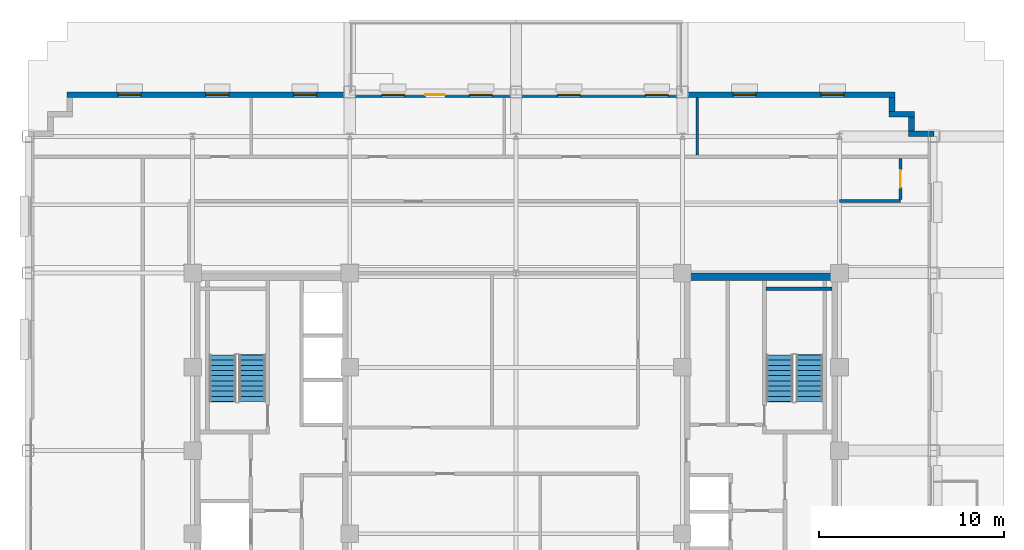
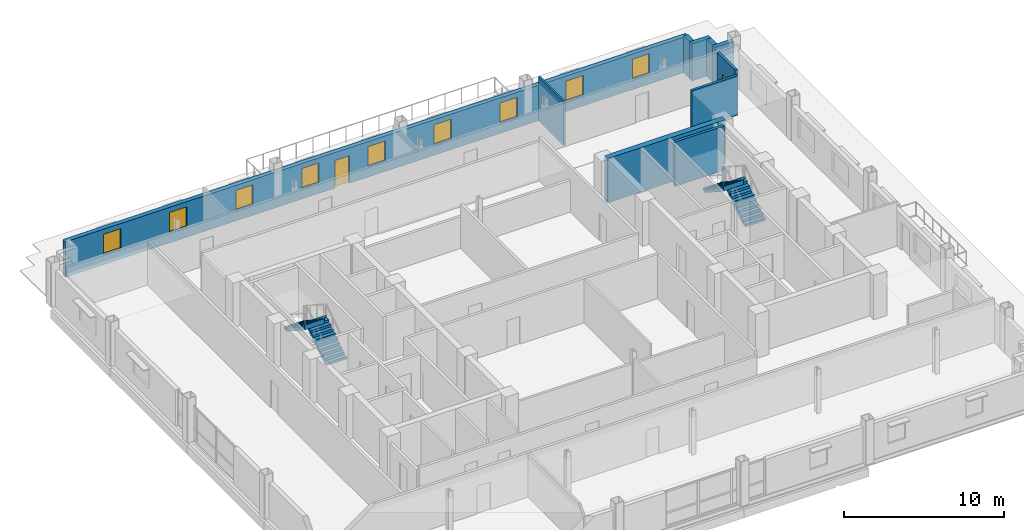
# One storey, part 10 of 17: 10 walls, 9 windows, 4 stair flights, 2 doors, 11 openings, 2 elements without a shape of their own.
"""IFC4 building model written with IfcOpenShell, lengths in metres."""

from ifc_helpers import new_model, si_unit, direction, frame, frame_2d, origin, place, context, subcontext, project, spatial, polyline, rectangle, outline, extrude, source, transform, mapped, material, layer, layer_set, type_object, type_shapes, element, fill, aggregate, save


model = new_model("IFC4")

# Units and contexts
model_context = context("Model", 3, precision=1e-05, world=origin(), true_north=direction((0.0, 1.0)))
body_context = subcontext(model_context, "Body", "Model", "MODEL_VIEW")
ifc_project = project(units=[si_unit("LENGTHUNIT", "METRE"), si_unit("AREAUNIT", "SQUARE_METRE"), si_unit("VOLUMEUNIT", "CUBIC_METRE"), si_unit("PLANEANGLEUNIT", "RADIAN"), si_unit("MASSUNIT", "GRAM", prefix="KILO")], contexts=[model_context])

# Site, building, storey
site_placement = place(None, origin())
site = spatial("IfcSite", under=ifc_project, at=site_placement, CompositionType="ELEMENT")
building_placement = place(site_placement, origin())
building = spatial("IfcBuilding", under=site, at=building_placement, Name="Nuvemarco Arch Tower", CompositionType="ELEMENT")
storey_placement = place(building_placement, frame((0.0, 0.0, 167.64990234375)))
storey = spatial("IfcBuildingStorey", under=building, at=storey_placement, Name="L44", CompositionType="ELEMENT", Elevation=167.64990234375)

# Walls
ifc_material_1 = material(Name="Precast concrete C45/55", Category="concrete")
ifc_layer_1 = layer(ifc_material_1, 0.31005859375, Name="EW-UPP-310")
ifc_layer_set_1 = layer_set([ifc_layer_1], Name="Precast concrete C45/55")
wall_type_1 = type_object("IfcWallType", Name="EW-UPP-310", PredefinedType="STANDARD", material=ifc_layer_set_1)
wall_1_placement = place(storey_placement, frame((21.239990234375, 17.14501953125, 0.0), z_axis=(0.0, 0.0, 1.0), x_axis=(1.0, 0.0, 0.0)))
element("IfcWall", 1, at=wall_1_placement, inside=storey, type_object=wall_type_1, Name="L44 exterior precast facade wall 7", PredefinedType="STANDARD", context=body_context, shape_type="SweptSolid", body=[
    extrude(rectangle(XDim=1.360107421875, YDim=0.31005859375, at=frame_2d((0.68017578125, 0.0))), origin(), (0.0, 0.0, 1.0), 2.816162109375),
])
wall_2_placement = place(storey_placement, frame((21.39501953125, 17.2958984375, 0.0), z_axis=(0.0, 0.0, 1.0), x_axis=(0.0, 1.0, 0.0)))
element("IfcWall", 2, at=wall_2_placement, inside=storey, type_object=wall_type_1, Name="L44 exterior precast facade wall 8", PredefinedType="STANDARD", context=body_context, shape_type="SweptSolid", body=[
    extrude(rectangle(XDim=0.748046875, YDim=0.31005859375, at=frame_2d((0.3740234375, 0.0))), origin(), (0.0, 0.0, 1.0), 2.816162109375),
])
wall_3_placement = place(storey_placement, frame((20.18994140625, 18.195068359375, 0.0), z_axis=(0.0, 0.0, 1.0), x_axis=(1.0, 0.0, 0.0)))
element("IfcWall", 3, at=wall_3_placement, inside=storey, type_object=wall_type_1, Name="L44 exterior precast facade wall 9", PredefinedType="STANDARD", context=body_context, shape_type="SweptSolid", body=[
    extrude(rectangle(XDim=1.360107421875, YDim=0.31005859375, at=frame_2d((0.68017578125, 0.0))), origin(), (0.0, 0.0, 1.0), 2.816162109375),
])
wall_4_placement = place(storey_placement, frame((20.344970703125, 18.345947265625, 0.0), z_axis=(0.0, 0.0, 1.0), x_axis=(0.0, 1.0, 0.0)))
element("IfcWall", 4, at=wall_4_placement, inside=storey, type_object=wall_type_1, Name="L44 exterior precast facade wall 10", PredefinedType="STANDARD", context=body_context, shape_type="SweptSolid", body=[
    extrude(rectangle(XDim=0.748046875, YDim=0.31005859375, at=frame_2d((0.3740234375, 0.0))), origin(), (0.0, 0.0, 1.0), 2.816162109375),
])

# Wall, openings, door, windows
wall_5_placement = place(storey_placement, frame((-24.300048828125, 19.2451171875, 0.0), z_axis=(0.0, 0.0, 1.0), x_axis=(1.0, 0.0, 0.0)))
wall_5 = element("IfcWall", 5, at=wall_5_placement, inside=storey, type_object=wall_type_1, Name="L44 exterior precast facade wall 11", PredefinedType="STANDARD", context=body_context, shape_type="SweptSolid", body=[
    extrude(rectangle(XDim=44.800048828125, YDim=0.31005859375, at=frame_2d((22.39990234375, 0.0))), origin(), (0.0, 0.0, 1.0), 2.705078125),
])
opening_1_placement = place(wall_5_placement, frame((19.39990234375, 0.0, 0.0)))
opening_1 = element("IfcOpeningElement", 6, at=opening_1_placement, cuts=wall_5, Name="Opening ED-5", PredefinedType="OPENING", context=body_context, shape_type="SweptSolid", body=[
    extrude(rectangle(XDim=1.050048828125, YDim=2.10009765625, at=frame_2d((0.52490234375, 1.050048828125))), frame((0.0, 0.1650390625, 0.0), z_axis=(0.0, -1.0, 0.0), x_axis=(1.0, 0.0, 0.0)), (0.0, 0.0, 1.0), 0.330078125),
])
opening_2_placement = place(wall_5_placement, frame((2.752685546875, 0.0, 0.800048828125)))
opening_2 = element("IfcOpeningElement", 7, at=opening_2_placement, cuts=wall_5, Name="Opening WN-13", PredefinedType="OPENING", context=body_context, shape_type="SweptSolid", body=[
    extrude(rectangle(XDim=1.25, YDim=1.52001953125, at=frame_2d((0.625, 0.760009765625))), frame((0.0, 0.1650390625, 0.0), z_axis=(0.0, -1.0, 0.0), x_axis=(1.0, 0.0, 0.0)), (0.0, 0.0, 1.0), 0.330078125),
])
opening_3_placement = place(wall_5_placement, frame((7.50830078125, 0.0, 0.800048828125)))
opening_3 = element("IfcOpeningElement", 8, at=opening_3_placement, cuts=wall_5, Name="Opening WN-13", PredefinedType="OPENING", context=body_context, shape_type="SweptSolid", body=[
    extrude(rectangle(XDim=1.25, YDim=1.52001953125, at=frame_2d((0.625, 0.760009765625))), frame((0.0, 0.1650390625, 0.0), z_axis=(0.0, -1.0, 0.0), x_axis=(1.0, 0.0, 0.0)), (0.0, 0.0, 1.0), 0.330078125),
])
opening_4_placement = place(wall_5_placement, frame((12.263916015625, 0.0, 0.800048828125)))
opening_4 = element("IfcOpeningElement", 9, at=opening_4_placement, cuts=wall_5, Name="Opening WN-13", PredefinedType="OPENING", context=body_context, shape_type="SweptSolid", body=[
    extrude(rectangle(XDim=1.25, YDim=1.52001953125, at=frame_2d((0.625, 0.760009765625))), frame((0.0, 0.1650390625, 0.0), z_axis=(0.0, -1.0, 0.0), x_axis=(1.0, 0.0, 0.0)), (0.0, 0.0, 1.0), 0.330078125),
])
opening_5_placement = place(wall_5_placement, frame((17.019287109375, 0.0, 0.800048828125)))
opening_5 = element("IfcOpeningElement", 10, at=opening_5_placement, cuts=wall_5, Name="Opening WN-13", PredefinedType="OPENING", context=body_context, shape_type="SweptSolid", body=[
    extrude(rectangle(XDim=1.25, YDim=1.52001953125, at=frame_2d((0.625, 0.760009765625))), frame((0.0, 0.1650390625, 0.0), z_axis=(0.0, -1.0, 0.0), x_axis=(1.0, 0.0, 0.0)), (0.0, 0.0, 1.0), 0.330078125),
])
opening_6_placement = place(wall_5_placement, frame((21.77490234375, 0.0, 0.800048828125)))
opening_6 = element("IfcOpeningElement", 11, at=opening_6_placement, cuts=wall_5, Name="Opening WN-13", PredefinedType="OPENING", context=body_context, shape_type="SweptSolid", body=[
    extrude(rectangle(XDim=1.25, YDim=1.52001953125, at=frame_2d((0.625, 0.760009765625))), frame((0.0, 0.1650390625, 0.0), z_axis=(0.0, -1.0, 0.0), x_axis=(1.0, 0.0, 0.0)), (0.0, 0.0, 1.0), 0.330078125),
])
opening_7_placement = place(wall_5_placement, frame((26.530517578125, 0.0, 0.800048828125)))
opening_7 = element("IfcOpeningElement", 12, at=opening_7_placement, cuts=wall_5, Name="Opening WN-13", PredefinedType="OPENING", context=body_context, shape_type="SweptSolid", body=[
    extrude(rectangle(XDim=1.25, YDim=1.52001953125, at=frame_2d((0.625, 0.760009765625))), frame((0.0, 0.1650390625, 0.0), z_axis=(0.0, -1.0, 0.0), x_axis=(1.0, 0.0, 0.0)), (0.0, 0.0, 1.0), 0.330078125),
])
opening_8_placement = place(wall_5_placement, frame((31.2861328125, 0.0, 0.800048828125)))
opening_8 = element("IfcOpeningElement", 13, at=opening_8_placement, cuts=wall_5, Name="Opening WN-13", PredefinedType="OPENING", context=body_context, shape_type="SweptSolid", body=[
    extrude(rectangle(XDim=1.25, YDim=1.52001953125, at=frame_2d((0.625, 0.760009765625))), frame((0.0, 0.1650390625, 0.0), z_axis=(0.0, -1.0, 0.0), x_axis=(1.0, 0.0, 0.0)), (0.0, 0.0, 1.0), 0.330078125),
])
opening_9_placement = place(wall_5_placement, frame((36.041748046875, 0.0, 0.800048828125)))
opening_9 = element("IfcOpeningElement", 14, at=opening_9_placement, cuts=wall_5, Name="Opening WN-13", PredefinedType="OPENING", context=body_context, shape_type="SweptSolid", body=[
    extrude(rectangle(XDim=1.25, YDim=1.52001953125, at=frame_2d((0.625, 0.760009765625))), frame((0.0, 0.1650390625, 0.0), z_axis=(0.0, -1.0, 0.0), x_axis=(1.0, 0.0, 0.0)), (0.0, 0.0, 1.0), 0.330078125),
])
opening_10_placement = place(wall_5_placement, frame((40.797119140625, 0.0, 0.800048828125)))
opening_10 = element("IfcOpeningElement", 15, at=opening_10_placement, cuts=wall_5, Name="Opening WN-13", PredefinedType="OPENING", context=body_context, shape_type="SweptSolid", body=[
    extrude(rectangle(XDim=1.25, YDim=1.52001953125, at=frame_2d((0.625, 0.760009765625))), frame((0.0, 0.1650390625, 0.0), z_axis=(0.0, -1.0, 0.0), x_axis=(1.0, 0.0, 0.0)), (0.0, 0.0, 1.0), 0.330078125),
])
ifc_material_2 = material(Name="Anodised bronze and laminated glass", Category="glass")
door_type_1 = type_object("IfcDoorType", Name="DR-EXT-TERR", OperationType="NOTDEFINED", PredefinedType="DOOR", material=ifc_material_2)
shared_shape_1 = source(origin(), body_context, "Body", "SweptSolid", [
    extrude(rectangle(XDim=1.050048828125, YDim=2.10009765625, at=frame_2d((0.52490234375, 1.050048828125))), frame((0.0, 0.02490234375, 0.0), z_axis=(0.0, -1.0, 0.0), x_axis=(1.0, 0.0, 0.0)), (0.0, 0.0, 1.0), 0.050048828125),
])
type_shapes(door_type_1, [shared_shape_1])
door_1_placement = place(opening_1_placement, origin())
door_1 = element("IfcDoor", 16, at=door_1_placement, inside=storey, type_object=door_type_1, Name="L44 setback terrace access door", OperationType="SINGLE_SWING_RIGHT", OverallHeight=2.10009765625, OverallWidth=1.050048828125, PredefinedType="DOOR", context=body_context, shape_type="MappedRepresentation", body=[
    mapped(shared_shape_1, transform((0.0, 0.0, 0.0), scale=1.0)),
])
fill(opening_1, door_1)
ifc_material_3 = material(Name="Insulated solar-control glass", Category="glass")
window_type = type_object("IfcWindowType", Name="WN-SET-1250x1520", PartitioningType="SINGLE_PANEL", PredefinedType="WINDOW", material=ifc_material_3)
shared_shape_2 = source(origin(), body_context, "Body", "SweptSolid", [
    extrude(rectangle(XDim=1.25, YDim=1.52001953125, at=frame_2d((0.625, 0.760009765625))), frame((0.0, 0.030029296875, 0.0), z_axis=(0.0, -1.0, 0.0), x_axis=(1.0, 0.0, 0.0)), (0.0, 0.0, 1.0), 0.06005859375),
])
type_shapes(window_type, [shared_shape_2])
window_1_placement = place(opening_2_placement, origin())
window_1 = element("IfcWindow", 17, at=window_1_placement, inside=storey, type_object=window_type, Name="L44 punched facade window 1", OverallHeight=1.52001953125, OverallWidth=1.25, PartitioningType="SINGLE_PANEL", PredefinedType="WINDOW", context=body_context, shape_type="MappedRepresentation", body=[
    mapped(shared_shape_2, transform((0.0, 0.0, 0.0), scale=1.0)),
])
fill(opening_2, window_1)
window_2_placement = place(opening_3_placement, origin())
window_2 = element("IfcWindow", 18, at=window_2_placement, inside=storey, type_object=window_type, Name="L44 punched facade window 2", OverallHeight=1.52001953125, OverallWidth=1.25, PartitioningType="SINGLE_PANEL", PredefinedType="WINDOW", context=body_context, shape_type="MappedRepresentation", body=[
    mapped(shared_shape_2, transform((0.0, 0.0, 0.0), scale=1.0)),
])
fill(opening_3, window_2)
window_3_placement = place(opening_4_placement, origin())
window_3 = element("IfcWindow", 19, at=window_3_placement, inside=storey, type_object=window_type, Name="L44 punched facade window 3", OverallHeight=1.52001953125, OverallWidth=1.25, PartitioningType="SINGLE_PANEL", PredefinedType="WINDOW", context=body_context, shape_type="MappedRepresentation", body=[
    mapped(shared_shape_2, transform((0.0, 0.0, 0.0), scale=1.0)),
])
fill(opening_4, window_3)
window_4_placement = place(opening_5_placement, origin())
window_4 = element("IfcWindow", 20, at=window_4_placement, inside=storey, type_object=window_type, Name="L44 punched facade window 4", OverallHeight=1.52001953125, OverallWidth=1.25, PartitioningType="SINGLE_PANEL", PredefinedType="WINDOW", context=body_context, shape_type="MappedRepresentation", body=[
    mapped(shared_shape_2, transform((0.0, 0.0, 0.0), scale=1.0)),
])
fill(opening_5, window_4)
window_5_placement = place(opening_6_placement, origin())
window_5 = element("IfcWindow", 21, at=window_5_placement, inside=storey, type_object=window_type, Name="L44 punched facade window 5", OverallHeight=1.52001953125, OverallWidth=1.25, PartitioningType="SINGLE_PANEL", PredefinedType="WINDOW", context=body_context, shape_type="MappedRepresentation", body=[
    mapped(shared_shape_2, transform((0.0, 0.0, 0.0), scale=1.0)),
])
fill(opening_6, window_5)
window_6_placement = place(opening_7_placement, origin())
window_6 = element("IfcWindow", 22, at=window_6_placement, inside=storey, type_object=window_type, Name="L44 punched facade window 6", OverallHeight=1.52001953125, OverallWidth=1.25, PartitioningType="SINGLE_PANEL", PredefinedType="WINDOW", context=body_context, shape_type="MappedRepresentation", body=[
    mapped(shared_shape_2, transform((0.0, 0.0, 0.0), scale=1.0)),
])
fill(opening_7, window_6)
window_7_placement = place(opening_8_placement, origin())
window_7 = element("IfcWindow", 23, at=window_7_placement, inside=storey, type_object=window_type, Name="L44 punched facade window 7", OverallHeight=1.52001953125, OverallWidth=1.25, PartitioningType="SINGLE_PANEL", PredefinedType="WINDOW", context=body_context, shape_type="MappedRepresentation", body=[
    mapped(shared_shape_2, transform((0.0, 0.0, 0.0), scale=1.0)),
])
fill(opening_8, window_7)
window_8_placement = place(opening_9_placement, origin())
window_8 = element("IfcWindow", 24, at=window_8_placement, inside=storey, type_object=window_type, Name="L44 punched facade window 8", OverallHeight=1.52001953125, OverallWidth=1.25, PartitioningType="SINGLE_PANEL", PredefinedType="WINDOW", context=body_context, shape_type="MappedRepresentation", body=[
    mapped(shared_shape_2, transform((0.0, 0.0, 0.0), scale=1.0)),
])
fill(opening_9, window_8)
window_9_placement = place(opening_10_placement, origin())
window_9 = element("IfcWindow", 25, at=window_9_placement, inside=storey, type_object=window_type, Name="L44 punched facade window 9", OverallHeight=1.52001953125, OverallWidth=1.25, PartitioningType="SINGLE_PANEL", PredefinedType="WINDOW", context=body_context, shape_type="MappedRepresentation", body=[
    mapped(shared_shape_2, transform((0.0, 0.0, 0.0), scale=1.0)),
])
fill(opening_10, window_9)

# Walls
ifc_material_4 = material(Name="Concrete C60/75", Category="concrete")
ifc_layer_2 = layer(ifc_material_4, 0.39990234375, Name="WL-CORE-400")
ifc_layer_set_2 = layer_set([ifc_layer_2], Name="Concrete C60/75")
wall_type_2 = type_object("IfcWallType", Name="WL-CORE-400", PredefinedType="SHEAR", material=ifc_layer_set_2)
wall_6_placement = place(storey_placement, frame((9.0, 9.39990234375, 0.0), z_axis=(0.0, 0.0, 1.0), x_axis=(1.0, 0.0, 0.0)))
element("IfcWall", 26, at=wall_6_placement, inside=storey, type_object=wall_type_2, Name="L44 E-core shear wall N", PredefinedType="SHEAR", context=body_context, shape_type="SweptSolid", body=[
    extrude(rectangle(XDim=8.5, YDim=0.39990234375, at=frame_2d((4.25, 0.0))), origin(), (0.0, 0.0, 1.0), 3.3701171875),
])
ifc_material_5 = material(Name="Fire-rated gypsum drywall partition")
ifc_layer_3 = layer(ifc_material_5, 0.179931640625, Name="WL-CORR-180")
ifc_layer_set_3 = layer_set([ifc_layer_3], Name="Fire-rated gypsum drywall partition")
wall_type_3 = type_object("IfcWallType", Name="WL-CORR-180", PredefinedType="PARTITIONING", material=ifc_layer_set_3)
wall_7_placement = place(storey_placement, frame((17.5, 13.5, 0.0), z_axis=(0.0, 0.0, 1.0), x_axis=(1.0, 0.0, 0.0)))
element("IfcWall", 27, at=wall_7_placement, inside=storey, type_object=wall_type_3, Name="L44 interior wall IW-L44-012", PredefinedType="PARTITIONING", context=body_context, shape_type="SweptSolid", body=[
    extrude(rectangle(XDim=3.300048828125, YDim=0.179931640625, at=frame_2d((1.64990234375, 0.0))), origin(), (0.0, 0.0, 1.0), 3.008056640625),
])

# Wall, opening, door
wall_8_placement = place(storey_placement, frame((20.800048828125, 13.5859375, 0.0), z_axis=(0.0, 0.0, 1.0), x_axis=(0.0, 1.0, 0.0)))
wall_8 = element("IfcWall", 28, at=wall_8_placement, inside=storey, type_object=wall_type_3, Name="L44 interior wall IW-L44-030", PredefinedType="PARTITIONING", context=body_context, shape_type="SweptSolid", body=[
    extrude(rectangle(XDim=2.22802734375, YDim=0.179931640625, at=frame_2d((1.114013671875, 0.0))), origin(), (0.0, 0.0, 1.0), 3.360107421875),
])
opening_11_placement = place(wall_8_placement, frame((0.634033203125, 0.0, 0.0)))
opening_11 = element("IfcOpeningElement", 29, at=opening_11_placement, cuts=wall_8, Name="Opening FD-5", PredefinedType="OPENING", context=body_context, shape_type="SweptSolid", body=[
    extrude(rectangle(XDim=0.9599609375, YDim=2.10009765625, at=frame_2d((0.47998046875, 1.050048828125))), frame((0.0, 0.099853515625, 0.0), z_axis=(0.0, -1.0, 0.0), x_axis=(1.0, 0.0, 0.0)), (0.0, 0.0, 1.0), 0.199951171875),
])
ifc_material_6 = material(Name="Timber fire door", Category="wood")
door_type_2 = type_object("IfcDoorType", Name="DR-CORR-FD", OperationType="NOTDEFINED", PredefinedType="DOOR", material=ifc_material_6)
shared_shape_3 = source(origin(), body_context, "Body", "SweptSolid", [
    extrude(rectangle(XDim=0.9599609375, YDim=2.10009765625, at=frame_2d((0.47998046875, 1.050048828125))), frame((0.0, 0.02490234375, 0.0), z_axis=(0.0, -1.0, 0.0), x_axis=(1.0, 0.0, 0.0)), (0.0, 0.0, 1.0), 0.050048828125),
])
type_shapes(door_type_2, [shared_shape_3])
door_2_placement = place(opening_11_placement, origin())
door_2 = element("IfcDoor", 30, at=door_2_placement, inside=storey, type_object=door_type_2, Name="L44 door DR-L44-E_2", OperationType="SINGLE_SWING_LEFT", OverallHeight=2.10009765625, OverallWidth=0.9599609375, PredefinedType="DOOR", context=body_context, shape_type="MappedRepresentation", body=[
    mapped(shared_shape_3, transform((0.0, 0.0, 0.0), scale=1.0)),
])
fill(opening_11, door_2)

# Walls
ifc_material_7 = material(Name="Gypsum plasterboard partition")
ifc_layer_4 = layer(ifc_material_7, 0.139892578125, Name="WL-ROOM-140")
ifc_layer_set_4 = layer_set([ifc_layer_4], Name="Gypsum plasterboard partition")
wall_type_4 = type_object("IfcWallType", Name="WL-ROOM-140", PredefinedType="PARTITIONING", material=ifc_layer_set_4)
wall_9_placement = place(storey_placement, frame((9.81005859375, 15.986083984375, 0.0), z_axis=(0.0, 0.0, 1.0), x_axis=(0.0, 1.0, 0.0)))
element("IfcWall", 31, at=wall_9_placement, inside=storey, type_object=wall_type_4, Name="L44 interior wall IW-L44-028", PredefinedType="PARTITIONING", context=body_context, shape_type="SweptSolid", body=[
    extrude(rectangle(XDim=3.10400390625, YDim=0.139892578125, at=frame_2d((1.552001953125, 0.0))), origin(), (0.0, 0.0, 1.0), 3.360107421875),
])
ifc_material_8 = material(Name="Concrete C50/60", Category="concrete")
ifc_layer_5 = layer(ifc_material_8, 0.199951171875, Name="WL-SHAFT-220")
ifc_layer_set_5 = layer_set([ifc_layer_5], Name="Concrete C50/60")
wall_type_5 = type_object("IfcWallType", Name="WL-SHAFT-220", PredefinedType="SHEAR", material=ifc_layer_set_5)
wall_10_placement = place(storey_placement, frame((13.534912109375, 8.75, 0.0), z_axis=(0.0, 0.0, 1.0), x_axis=(1.0, 0.0, 0.0)))
element("IfcWall", 32, at=wall_10_placement, inside=storey, type_object=wall_type_5, Name="L44 structural shaft wall SW-L44-E-ST2N", PredefinedType="SHEAR", context=body_context, shape_type="SweptSolid", body=[
    extrude(rectangle(XDim=3.570068359375, YDim=0.199951171875, at=frame_2d((1.78515625, 0.0))), origin(), (0.0, 0.0, 1.0), 3.3701171875),
])

# Stair, stair flights
stair_type = type_object("IfcStairType", Name="ST-CORE-20R", PredefinedType="HALF_TURN_STAIR", material=ifc_material_1)
stair_1_placement = place(storey_placement, origin())
stair_1 = element("IfcStair", 33, at=stair_1_placement, inside=storey, type_object=stair_type, Name="L44 Protected Exit Stair ST-1", PredefinedType="HALF_TURN_STAIR")
stair_flight_type = type_object("IfcStairFlightType", Name="SF-CORE-20R", PredefinedType="STRAIGHT", material=ifc_material_1)
stair_flight_1_placement = place(storey_placement, frame((-14.264892578125, 2.64990234375, 0.0), z_axis=(0.0, 0.0, 1.0), x_axis=(0.0, 1.0, 0.0)))
stair_flight_1 = element("IfcStairFlight", 34, at=stair_flight_1_placement, type_object=stair_flight_type, Name="ST-20R flight 1", NumberOfRisers=10, NumberOfTreads=9, PredefinedType="STRAIGHT", RiserHeight=0.1825, TreadLength=0.28, context=body_context, shape_type="SweptSolid", body=[
    extrude(outline(polyline([(0.0, 0.0), (0.0, 0.1826171875), (0.280029296875, 0.1826171875), (0.280029296875, 0.364990234375), (0.56005859375, 0.364990234375), (0.56005859375, 0.547607421875), (0.840087890625, 0.547607421875), (0.840087890625, 0.72998046875), (1.1201171875, 0.72998046875), (1.1201171875, 0.91259765625), (1.39990234375, 0.91259765625), (1.39990234375, 1.094970703125), (1.679931640625, 1.094970703125), (1.679931640625, 1.277587890625), (1.9599609375, 1.277587890625), (1.9599609375, 1.4599609375), (2.239990234375, 1.4599609375), (2.239990234375, 1.642578125), (2.52001953125, 1.642578125), (2.52001953125, 1.824951171875), (2.5400390625, 1.824951171875), (2.5400390625, 1.45166015625), (0.312744140625, 0.0), (0.0, 0.0)])), frame((0.0, 0.72509765625, 0.0), z_axis=(0.0, -1.0, 0.0), x_axis=(1.0, 0.0, 0.0)), (0.0, 0.0, 1.0), 1.449951171875),
])
stair_flight_2_placement = place(storey_placement, frame((-15.875, 5.169921875, 1.8251953125), z_axis=(0.0, 0.0, 1.0), x_axis=(0.0, -1.0, 0.0)))
stair_flight_2 = element("IfcStairFlight", 35, at=stair_flight_2_placement, type_object=stair_flight_type, Name="ST-20R flight 2", NumberOfRisers=10, NumberOfTreads=9, PredefinedType="STRAIGHT", RiserHeight=0.1825, TreadLength=0.28, context=body_context, shape_type="SweptSolid", body=[
    extrude(outline(polyline([(0.0, 0.0), (0.0, 0.1826171875), (0.280029296875, 0.1826171875), (0.280029296875, 0.364990234375), (0.56005859375, 0.364990234375), (0.56005859375, 0.547607421875), (0.840087890625, 0.547607421875), (0.840087890625, 0.72998046875), (1.1201171875, 0.72998046875), (1.1201171875, 0.91259765625), (1.39990234375, 0.91259765625), (1.39990234375, 1.094970703125), (1.679931640625, 1.094970703125), (1.679931640625, 1.277587890625), (1.9599609375, 1.277587890625), (1.9599609375, 1.4599609375), (2.239990234375, 1.4599609375), (2.239990234375, 1.642578125), (2.52001953125, 1.642578125), (2.52001953125, 1.824951171875), (2.5400390625, 1.824951171875), (2.5400390625, 1.45166015625), (0.312744140625, 0.0), (0.0, 0.0)])), frame((0.0, 0.72509765625, 0.0), z_axis=(0.0, -1.0, 0.0), x_axis=(1.0, 0.0, 0.0)), (0.0, 0.0, 1.0), 1.449951171875),
])
aggregate(stair_1, [stair_flight_1, stair_flight_2])

stair_2_placement = place(storey_placement, origin())
stair_2 = element("IfcStair", 36, at=stair_2_placement, inside=storey, type_object=stair_type, Name="L44 Protected Exit Stair ST-2", PredefinedType="HALF_TURN_STAIR")
stair_flight_3_placement = place(storey_placement, frame((15.875, 2.64990234375, 0.0), z_axis=(0.0, 0.0, 1.0), x_axis=(0.0, 1.0, 0.0)))
stair_flight_3 = element("IfcStairFlight", 37, at=stair_flight_3_placement, type_object=stair_flight_type, Name="ST-20R flight 1", NumberOfRisers=10, NumberOfTreads=9, PredefinedType="STRAIGHT", RiserHeight=0.1825, TreadLength=0.28, context=body_context, shape_type="SweptSolid", body=[
    extrude(outline(polyline([(0.0, 0.0), (0.0, 0.1826171875), (0.280029296875, 0.1826171875), (0.280029296875, 0.364990234375), (0.56005859375, 0.364990234375), (0.56005859375, 0.547607421875), (0.840087890625, 0.547607421875), (0.840087890625, 0.72998046875), (1.1201171875, 0.72998046875), (1.1201171875, 0.91259765625), (1.39990234375, 0.91259765625), (1.39990234375, 1.094970703125), (1.679931640625, 1.094970703125), (1.679931640625, 1.277587890625), (1.9599609375, 1.277587890625), (1.9599609375, 1.4599609375), (2.239990234375, 1.4599609375), (2.239990234375, 1.642578125), (2.52001953125, 1.642578125), (2.52001953125, 1.824951171875), (2.5400390625, 1.824951171875), (2.5400390625, 1.45166015625), (0.312744140625, 0.0), (0.0, 0.0)])), frame((0.0, 0.72509765625, 0.0), z_axis=(0.0, -1.0, 0.0), x_axis=(1.0, 0.0, 0.0)), (0.0, 0.0, 1.0), 1.449951171875),
])
stair_flight_4_placement = place(storey_placement, frame((14.264892578125, 5.169921875, 1.8251953125), z_axis=(0.0, 0.0, 1.0), x_axis=(0.0, -1.0, 0.0)))
stair_flight_4 = element("IfcStairFlight", 38, at=stair_flight_4_placement, type_object=stair_flight_type, Name="ST-20R flight 2", NumberOfRisers=10, NumberOfTreads=9, PredefinedType="STRAIGHT", RiserHeight=0.1825, TreadLength=0.28, context=body_context, shape_type="SweptSolid", body=[
    extrude(outline(polyline([(0.0, 0.0), (0.0, 0.1826171875), (0.280029296875, 0.1826171875), (0.280029296875, 0.364990234375), (0.56005859375, 0.364990234375), (0.56005859375, 0.547607421875), (0.840087890625, 0.547607421875), (0.840087890625, 0.72998046875), (1.1201171875, 0.72998046875), (1.1201171875, 0.91259765625), (1.39990234375, 0.91259765625), (1.39990234375, 1.094970703125), (1.679931640625, 1.094970703125), (1.679931640625, 1.277587890625), (1.9599609375, 1.277587890625), (1.9599609375, 1.4599609375), (2.239990234375, 1.4599609375), (2.239990234375, 1.642578125), (2.52001953125, 1.642578125), (2.52001953125, 1.824951171875), (2.5400390625, 1.824951171875), (2.5400390625, 1.45166015625), (0.312744140625, 0.0), (0.0, 0.0)])), frame((0.0, 0.72509765625, 0.0), z_axis=(0.0, -1.0, 0.0), x_axis=(1.0, 0.0, 0.0)), (0.0, 0.0, 1.0), 1.449951171875),
])
aggregate(stair_2, [stair_flight_3, stair_flight_4])

save(model, "model.ifc")
